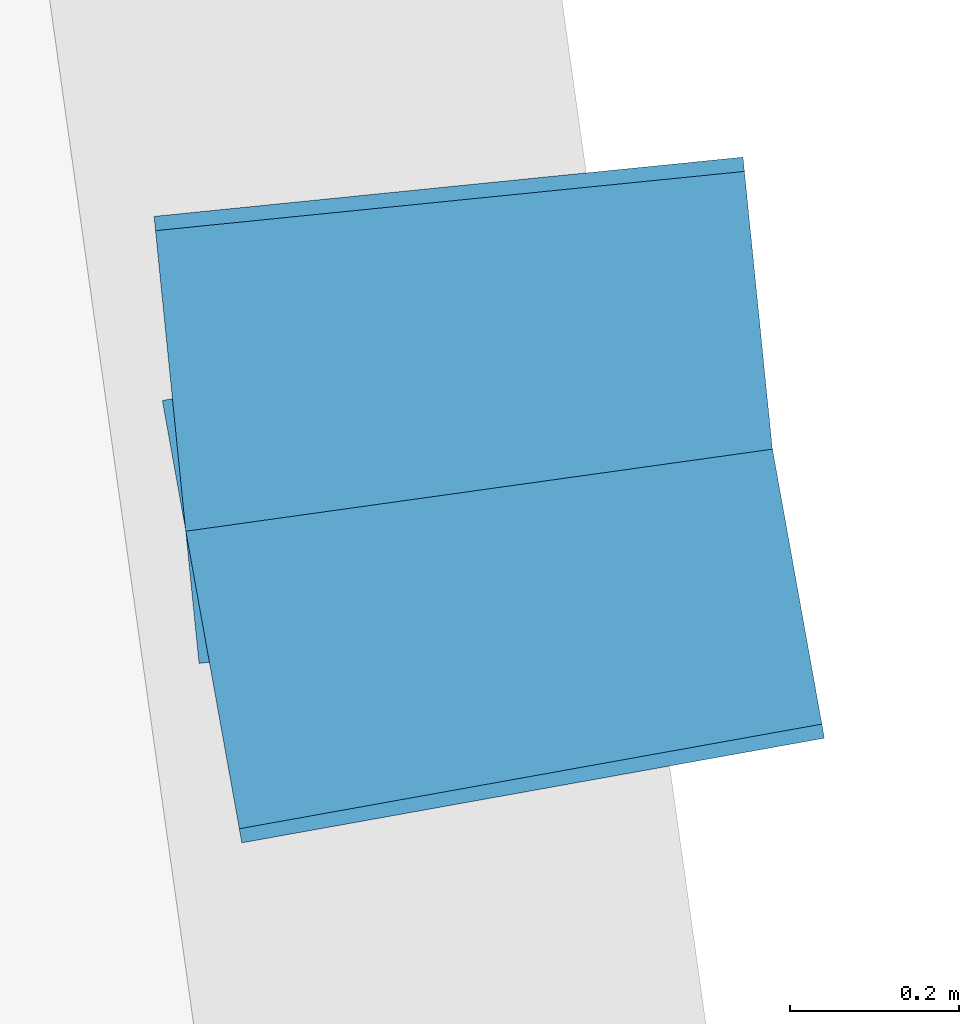
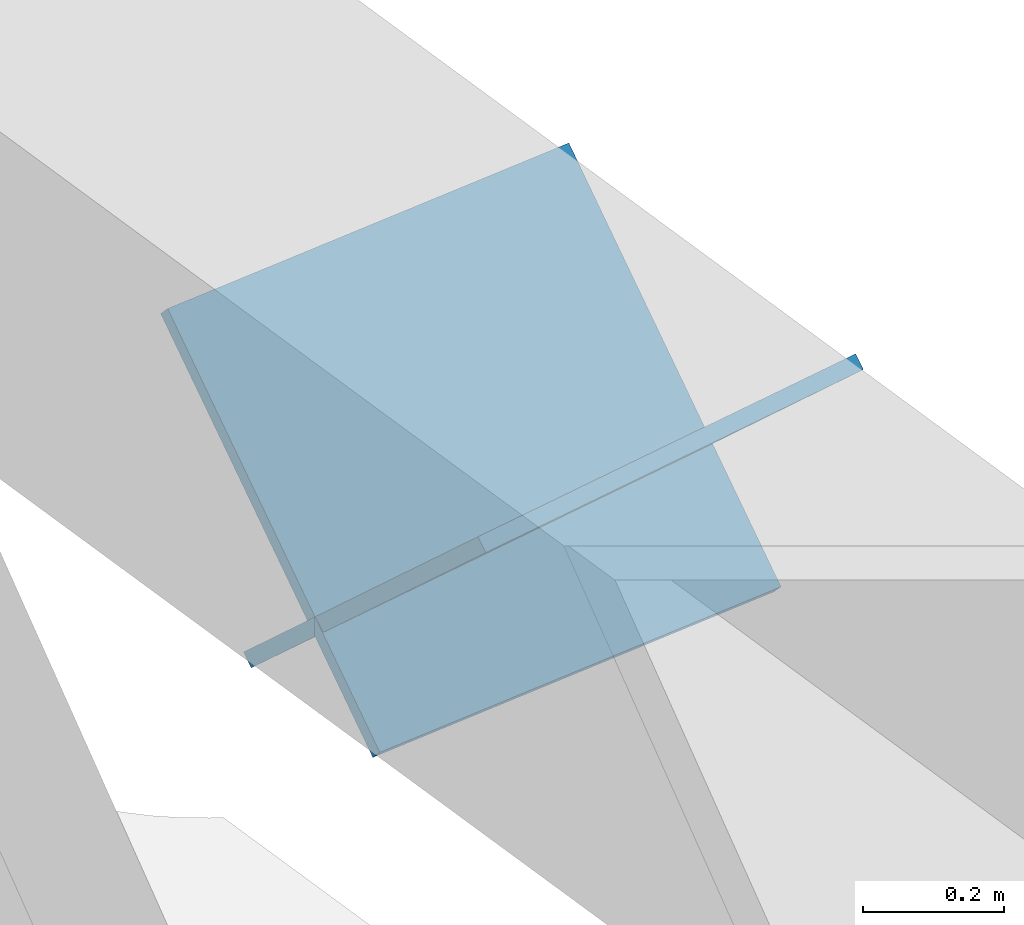
# One storey, part 25 of 29: 2 discrete accessories.
"""IFC4 building model written with IfcOpenShell, lengths in metres."""

import ifcopenshell
import ifcopenshell.guid

model = None  # the IFC model being written
_history = None  # IfcOwnerHistory: only IFC2X3 demands one
_inside = {}  # id of a spatial element -> (the spatial element, [elements in it])
_under = {}  # id of a project, library or spatial element -> (it, [spatial elements below it])
_declared = {}  # id of a project -> (the project, [libraries it declares])
_typed = {}  # id of a type object -> (the type object, [elements of that type])
_made_of = {}  # id of a material, layer set ... -> (it, [elements and type objects made of it])


def new_model(schema):
    """Start an empty IFC model of exactly this schema.

    Asked for "IFC4X3", IfcOpenShell would pick the latest addendum, in which some entities
    have other attributes; the version numbers below select the first issue.
    IFC2X3 requires an IfcOwnerHistory on every rooted entity: one is made here for all.
    """
    global model, _history
    if schema == "IFC4X3":
        model = ifcopenshell.file(schema_version=(4, 3, 0, 0))
    else:
        model = ifcopenshell.file(schema=schema)
    _inside.clear()
    _under.clear()
    _declared.clear()
    _typed.clear()
    _made_of.clear()
    _history = None
    if model.schema == "IFC2X3":
        org = make("IfcOrganization", Name="unknown")
        user = make(
            "IfcPersonAndOrganization",
            ThePerson=make("IfcPerson", FamilyName="unknown"),
            TheOrganization=org,
        )
        app = make(
            "IfcApplication",
            ApplicationDeveloper=org,
            Version="unknown",
            ApplicationFullName="unknown",
            ApplicationIdentifier="unknown",
        )
        _history = make(
            "IfcOwnerHistory",
            OwningUser=user,
            OwningApplication=app,
            ChangeAction="ADDED",
            CreationDate=0,
        )
    return model


def make(cls, **values):
    """One entity of the class cls with the attributes given. An attribute that is None is left unset."""
    return model.create_entity(
        cls, **{name: value for name, value in values.items() if value is not None}
    )


def rooted(cls, **values):
    """An entity with a GlobalId (a new one), such as an element, a storey or a relation."""
    return make(cls, GlobalId=ifcopenshell.guid.new(), OwnerHistory=_history, **values)


def si_unit(unit_type, name, prefix=None):
    """IfcSIUnit, for example si_unit("LENGTHUNIT", "METRE", prefix="MILLI")."""
    return make("IfcSIUnit", UnitType=unit_type, Prefix=prefix, Name=name)


def assignment(units):
    """IfcUnitAssignment: the units of a project."""
    return None if units is None else make("IfcUnitAssignment", Units=units)


def point(xyz):
    """IfcCartesianPoint."""
    return None if xyz is None else make("IfcCartesianPoint", Coordinates=xyz)


def direction(xyz):
    """IfcDirection."""
    return None if xyz is None else make("IfcDirection", DirectionRatios=xyz)


def frame(location, z_axis=None, x_axis=None):
    """IfcAxis2Placement3D, a coordinate frame: its origin and axes. An axis left out is left unset."""
    return make(
        "IfcAxis2Placement3D",
        Location=point(location),
        Axis=direction(z_axis),
        RefDirection=direction(x_axis),
    )


def frame_2d(location, x_axis=None):
    """IfcAxis2Placement2D, a coordinate frame in the plane: its origin and x axis."""
    return make(
        "IfcAxis2Placement2D", Location=point(location), RefDirection=direction(x_axis)
    )


def origin():
    """The frame at (0, 0, 0) with its axes left unset."""
    return frame((0.0, 0.0, 0.0))


def origin_2d():
    """The frame at (0, 0) in the plane with its x axis left unset."""
    return frame_2d((0.0, 0.0))


def place(relative_to, where):
    """IfcLocalPlacement: puts the frame where relative to a parent placement (None: the world)."""
    return make(
        "IfcLocalPlacement", PlacementRelTo=relative_to, RelativePlacement=where
    )


def context(
    kind, dimensions, precision=None, world=None, true_north=None, identifier=None
):
    """IfcGeometricRepresentationContext, for example the 3D "Model" context."""
    return make(
        "IfcGeometricRepresentationContext",
        ContextIdentifier=identifier,
        ContextType=kind,
        CoordinateSpaceDimension=dimensions,
        Precision=precision,
        WorldCoordinateSystem=world,
        TrueNorth=true_north,
    )


def subcontext(parent, identifier, kind, view, scale=None):
    """IfcGeometricRepresentationSubContext, for example "Body" below "Model"."""
    return make(
        "IfcGeometricRepresentationSubContext",
        ContextIdentifier=identifier,
        ContextType=kind,
        ParentContext=parent,
        TargetScale=scale,
        TargetView=view,
    )


def project(units=None, contexts=None):
    """IfcProject with its units and contexts."""
    return rooted(
        "IfcProject",
        Name="project",
        RepresentationContexts=contexts,
        UnitsInContext=assignment(units),
    )


def spatial(cls, under=None, at=None, **own):
    """A site, building, storey or space (cls), placed at a placement, below another one or the project."""
    s = rooted(cls, ObjectPlacement=at, **own)
    if under is not None:
        _under.setdefault(under.id(), (under, []))[1].append(s)
    return s


def profile(cls, at=None, kind="AREA", **sizes):
    """A parametric profile (cls). Its sizes go by their IFC names, for example OverallWidth=200.0."""
    return make(cls, ProfileType=kind, Position=at, **sizes)


def rectangle(**sizes):
    """IfcRectangleProfileDef."""
    return profile("IfcRectangleProfileDef", **sizes)


def extrude(swept, where, along, depth):
    """IfcExtrudedAreaSolid: the profile swept, set in the frame where, extruded along a direction by depth."""
    return make(
        "IfcExtrudedAreaSolid",
        SweptArea=swept,
        Position=where,
        ExtrudedDirection=direction(along),
        Depth=depth,
    )


def shape(context_of_items, identifier, shape_type, items):
    """IfcShapeRepresentation: the items that make up one representation, for example the "Body"."""
    return make(
        "IfcShapeRepresentation",
        ContextOfItems=context_of_items,
        RepresentationIdentifier=identifier,
        RepresentationType=shape_type,
        Items=items,
    )


def material(Name=None, Category=None):
    """IfcMaterial."""
    return make("IfcMaterial", Name=Name, Category=Category)


def material_profile(
    of_material, cross_section, Name=None, Category=None, Priority=None
):
    """IfcMaterialProfile: a cross section and its material."""
    return make(
        "IfcMaterialProfile",
        Name=Name,
        Material=of_material,
        Profile=cross_section,
        Priority=Priority,
        Category=Category,
    )


def profile_set(profiles, Name=None, composite=None):
    """IfcMaterialProfileSet."""
    return make(
        "IfcMaterialProfileSet",
        Name=Name,
        MaterialProfiles=profiles,
        CompositeProfile=composite,
    )


def made_of(thing, what):
    """Note that an element or type object is made of a material, layer set ...; save() writes the relation."""
    if what is not None:
        _made_of.setdefault(what.id(), (what, []))[1].append(thing)
    return thing


def type_object(cls, material=None, **own):
    """A type object (cls), such as IfcWallType, which elements share."""
    return made_of(rooted(cls, **own), material)


def element(
    cls,
    number,
    at=None,
    inside=None,
    cuts=None,
    type_object=None,
    material=None,
    context=None,
    identifier="Body",
    shape_type=None,
    held_by="IfcProductDefinitionShape",
    body=None,
    shapes=None,
    **own,
):
    """One element of the class cls, such as IfcWall. Its Tag is "e" and its number.

    at: its placement. inside: the storey or other place that contains it. cuts: it is an
    opening in that element (IfcRelVoidsElement). A single representation is given by context,
    identifier, shape_type and body (its items); several are given by shapes. held_by: the class
    of the entity that holds the representations. save() writes the other relations.
    """
    e = rooted(cls, Tag="e%d" % number, ObjectPlacement=at, **own)
    if body is not None:
        shapes = [shape(context, identifier, shape_type, body)]
    if shapes is not None:
        e.Representation = make(held_by, Representations=shapes)
    if inside is not None:
        _inside.setdefault(inside.id(), (inside, []))[1].append(e)
    if cuts is not None:
        rooted(
            "IfcRelVoidsElement", RelatingBuildingElement=cuts, RelatedOpeningElement=e
        )
    if type_object is not None:
        _typed.setdefault(type_object.id(), (type_object, []))[1].append(e)
    return made_of(e, material)


def aggregate(whole, parts):
    """IfcRelAggregates: a whole, such as a stair, and the parts it consists of."""
    return rooted("IfcRelAggregates", RelatingObject=whole, RelatedObjects=parts)


def save(model, path):
    """Write the relations noted so far, then the file.

    IfcRelAggregates (storeys below a building ...), IfcRelContainedInSpatialStructure (elements
    in a storey), IfcRelDefinesByType, IfcRelAssociatesMaterial and IfcRelDeclares: one each for
    every whole, place, type object, material and project.
    """
    for whole, parts in _under.values():
        aggregate(whole, parts)
    for where, things in _inside.values():
        rooted(
            "IfcRelContainedInSpatialStructure",
            RelatedElements=things,
            RelatingStructure=where,
        )
    for kind, things in _typed.values():
        rooted("IfcRelDefinesByType", RelatedObjects=things, RelatingType=kind)
    for what, things in _made_of.values():
        rooted("IfcRelAssociatesMaterial", RelatedObjects=things, RelatingMaterial=what)
    for by, libraries in _declared.values():
        rooted("IfcRelDeclares", RelatingContext=by, RelatedDefinitions=libraries)
    model.write(path)


model = new_model("IFC4")

# Units and contexts
model_context = context("Model", 3, precision=1e-05, world=origin(), true_north=direction((0.0, 1.0)))
body_context = subcontext(model_context, "Body", "Model", "MODEL_VIEW")
ifc_project = project(units=[si_unit("LENGTHUNIT", "METRE"), si_unit("AREAUNIT", "SQUARE_METRE"), si_unit("VOLUMEUNIT", "CUBIC_METRE"), si_unit("PLANEANGLEUNIT", "RADIAN"), si_unit("MASSUNIT", "GRAM", prefix="KILO")], contexts=[model_context])

# Site, building, storey
site_placement = place(None, origin())
site = spatial("IfcSite", under=ifc_project, at=site_placement, CompositionType="ELEMENT")
building_placement = place(site_placement, origin())
building = spatial("IfcBuilding", under=site, at=building_placement, Name="Mirante Cascada Hotel Towers", CompositionType="ELEMENT")
storey_placement = place(building_placement, frame((0.0, 0.0, 206.8)))
storey = spatial("IfcBuildingStorey", under=building, at=storey_placement, Name="L49", CompositionType="ELEMENT", Elevation=206.8)

# Discrete accessories
ifc_material = material(Name="Steel ASTM A572 Gr 50", Category="steel")
ifc_material_profile = material_profile(ifc_material, rectangle(XDim=0.7, YDim=0.7, at=origin_2d()), Name="Connection plate 700x700x25 ASTM A572 Gr 50")
ifc_profile_set = profile_set([ifc_material_profile], Name="Steel ASTM A572 Gr 50")
discrete_accessory_type = type_object("IfcDiscreteAccessoryType", Name="Connection plate 700x700x25 ASTM A572 Gr 50", PredefinedType="BRACKET", material=ifc_profile_set)
for number, where, z_axis, x_axis, name in (
    (1, (84.685, 5.581, 0.8537), (-0.119861, 0.6672265, 0.7351477), (-0.9842449, -0.1768105, 0.0), "Connection plate MB-OL43L"),
    (2, (84.6562, 5.7859, 0.8537), (0.0678882, -0.6748887, 0.7347901), (0.9949787, 0.1000866, 0.0), "Connection plate MB-OL43R"),
):
    element("IfcDiscreteAccessory", number, at=place(storey_placement, frame(where, z_axis=z_axis, x_axis=x_axis)), inside=storey, type_object=discrete_accessory_type, Name=name, PredefinedType="BRACKET", context=body_context, shape_type="SweptSolid", body=[
        extrude(rectangle(XDim=0.7, YDim=0.7, at=origin_2d()), origin(), (0.0, 0.0, 1.0), 0.025),
    ])

save(model, "model.ifc")
